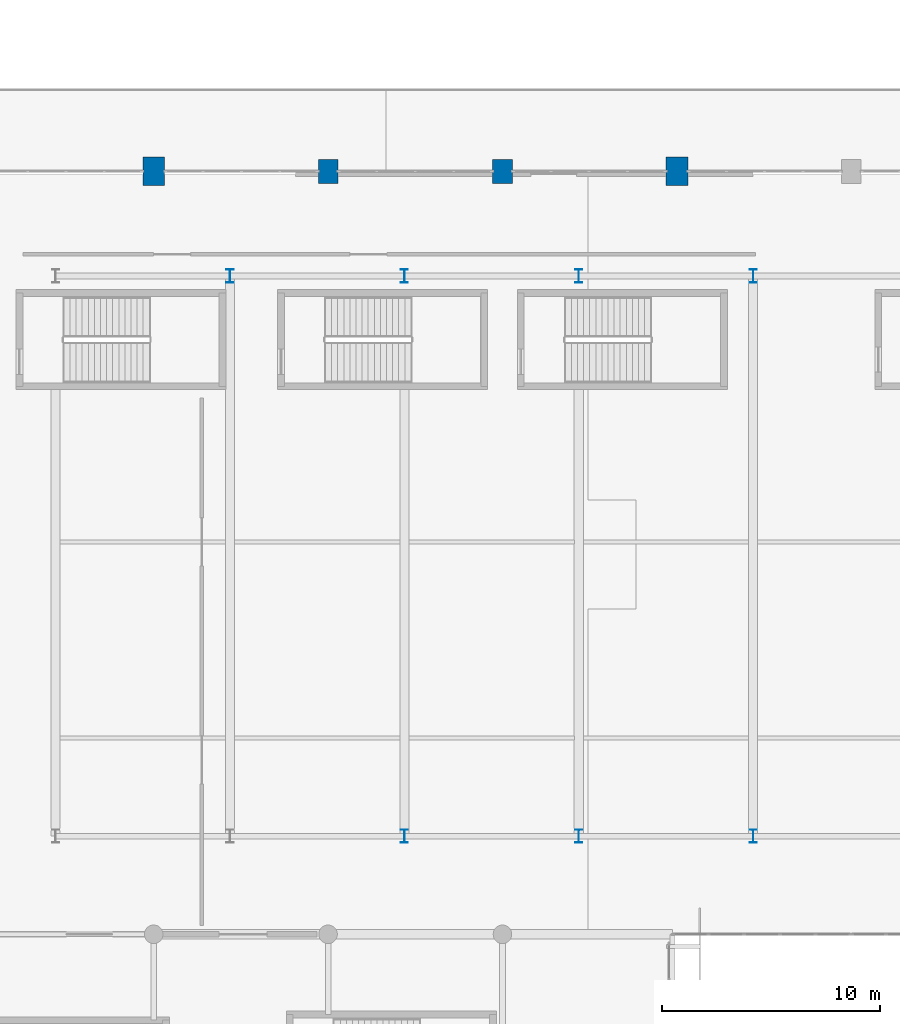
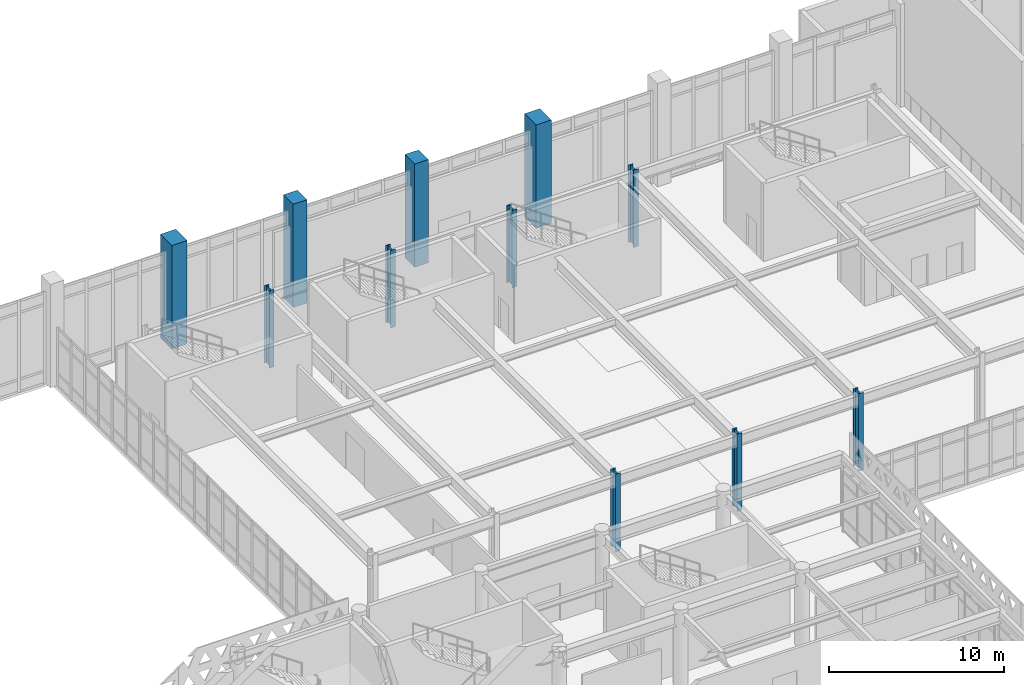
# One storey, part 5 of 84: 11 columns.
"""IFC4 building model written with IfcOpenShell, lengths in metres."""

from ifc_helpers import new_model, si_unit, direction, frame, origin, origin_2d, place, context, subcontext, project, spatial, rectangle, i_section, extrude, material, material_profile, profile_set, type_object, element, save


model = new_model("IFC4")

# Units and contexts
model_context = context("Model", 3, precision=1e-05, world=origin(), true_north=direction((0.0, 1.0)))
body_context = subcontext(model_context, "Body", "Model", "MODEL_VIEW")
ifc_project = project(units=[si_unit("LENGTHUNIT", "METRE"), si_unit("AREAUNIT", "SQUARE_METRE"), si_unit("VOLUMEUNIT", "CUBIC_METRE"), si_unit("PLANEANGLEUNIT", "RADIAN"), si_unit("MASSUNIT", "GRAM", prefix="KILO")], contexts=[model_context])

# Site, building, storey
site_placement = place(None, origin())
site = spatial("IfcSite", under=ifc_project, at=site_placement, CompositionType="ELEMENT")
building_placement = place(site_placement, origin())
building = spatial("IfcBuilding", under=site, at=building_placement, Name="Tlacozan Convention Centre", CompositionType="ELEMENT")
storey_placement = place(building_placement, frame((0.0, 0.0, 6.0)))
storey = spatial("IfcBuildingStorey", under=building, at=storey_placement, Name="L01", CompositionType="ELEMENT", Elevation=6.0)

# Columns
ifc_material_1 = material(Name="Concrete C40/50", Category="concrete")
ifc_material_profile_1 = material_profile(ifc_material_1, rectangle(XDim=0.89990234375, YDim=1.10009765625, at=origin_2d()), Name="RC 900x1100")
ifc_profile_set_1 = profile_set([ifc_material_profile_1], Name="Concrete C40/50")
column_type_1 = type_object("IfcColumnType", Name="Column Buttress RC 900x1100", PredefinedType="COLUMN", material=ifc_profile_set_1)
for number, where, z_axis, x_axis, name in (
    (1, (104.0, 62.0, 0.0), (0.0, 0.0, 1.0), (1.0, 0.0, 0.0), "L01 Column 573"),
    (2, (112.0, 62.0, 0.0), (0.0, 0.0, 1.0), (1.0, 0.0, 0.0), "L01 Column 616"),
):
    element("IfcColumn", number, at=place(storey_placement, frame(where, z_axis=z_axis, x_axis=x_axis)), inside=storey, type_object=column_type_1, Name=name, PredefinedType="COLUMN", context=body_context, shape_type="SweptSolid", body=[
        extrude(rectangle(XDim=0.89990234375, YDim=1.10009765625, at=origin_2d()), origin(), (0.0, 0.0, 1.0), 7.199951171875),
    ])
ifc_material_profile_2 = material_profile(ifc_material_1, rectangle(XDim=1.0, YDim=1.300048828125, at=origin_2d()), Name="RC 1000x1300")
ifc_profile_set_2 = profile_set([ifc_material_profile_2], Name="Concrete C40/50")
column_type_2 = type_object("IfcColumnType", Name="Column Mega Buttress RC 1000x1300", PredefinedType="COLUMN", material=ifc_profile_set_2)
for number, where, z_axis, x_axis, name in (
    (3, (96.0, 62.0, 0.0), (0.0, 0.0, 1.0), (1.0, 0.0, 0.0), "L01 Column 530"),
    (4, (120.0, 62.0, 0.0), (0.0, 0.0, 1.0), (1.0, 0.0, 0.0), "L01 Column 639"),
):
    element("IfcColumn", number, at=place(storey_placement, frame(where, z_axis=z_axis, x_axis=x_axis)), inside=storey, type_object=column_type_2, Name=name, PredefinedType="COLUMN", context=body_context, shape_type="SweptSolid", body=[
        extrude(rectangle(XDim=1.0, YDim=1.300048828125, at=origin_2d()), origin(), (0.0, 0.0, 1.0), 7.199951171875),
    ])
ifc_material_2 = material(Name="Steel ASTM A992 Grade 50", Category="steel")
ifc_material_profile_3 = material_profile(ifc_material_2, i_section(OverallWidth=0.323974609375, OverallDepth=0.611083984375, WebThickness=0.0126953125, FlangeThickness=0.01904296875, FilletRadius=0.012939453125, at=origin_2d()), Name="IR 610x155.0")
ifc_profile_set_3 = profile_set([ifc_material_profile_3], Name="Steel ASTM A992 Grade 50")
column_type_3 = type_object("IfcColumnType", Name="Column Steel IR 610x155", PredefinedType="COLUMN", material=ifc_profile_set_3)
for number, where, z_axis, x_axis, name in (
    (5, (99.5, 57.199951171875, 0.0), (0.0, 0.0, 1.0), (1.0, 0.0, 0.0), "L01 Column 549"),
    (6, (107.5, 31.5, 0.0), (0.0, 0.0, 1.0), (1.0, 0.0, 0.0), "L01 Column 586"),
    (7, (107.5, 57.199951171875, 0.0), (0.0, 0.0, 1.0), (1.0, 0.0, 0.0), "L01 Column 592"),
    (8, (115.5, 31.5, 0.0), (0.0, 0.0, 1.0), (1.0, 0.0, 0.0), "L01 Column 629"),
    (9, (115.5, 57.199951171875, 0.0), (0.0, 0.0, 1.0), (1.0, 0.0, 0.0), "L01 Column 635"),
    (10, (123.5, 31.5, 0.0), (0.0, 0.0, 1.0), (1.0, 0.0, 0.0), "L01 Column 652"),
    (11, (123.5, 57.199951171875, 0.0), (0.0, 0.0, 1.0), (1.0, 0.0, 0.0), "L01 Column 658"),
):
    element("IfcColumn", number, at=place(storey_placement, frame(where, z_axis=z_axis, x_axis=x_axis)), inside=storey, type_object=column_type_3, Name=name, PredefinedType="COLUMN", context=body_context, shape_type="SweptSolid", body=[
        extrude(i_section(OverallWidth=0.323974609375, OverallDepth=0.611083984375, WebThickness=0.0126953125, FlangeThickness=0.01904296875, FilletRadius=0.012939453125, at=origin_2d()), origin(), (0.0, 0.0, 1.0), 5.39990234375),
    ])

save(model, "model.ifc")
